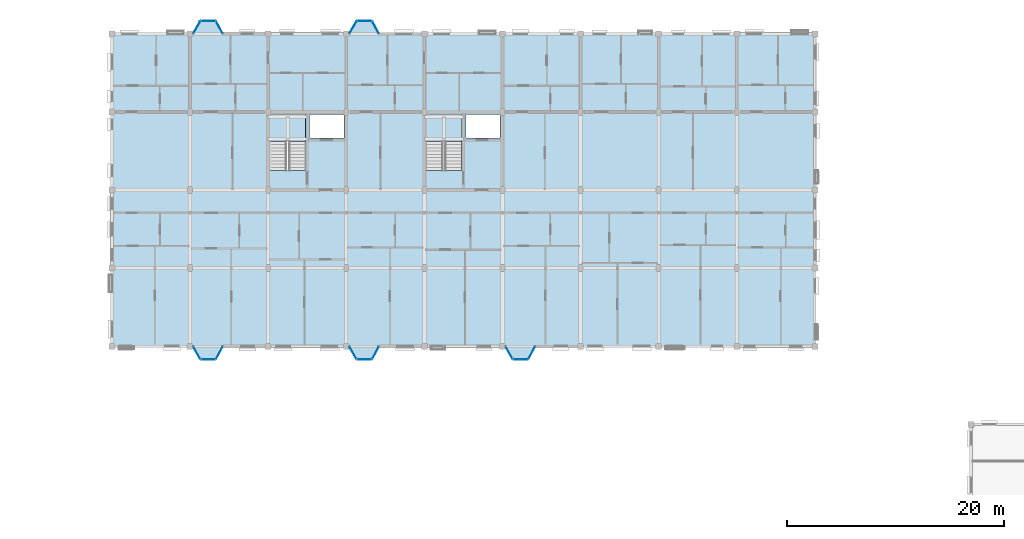
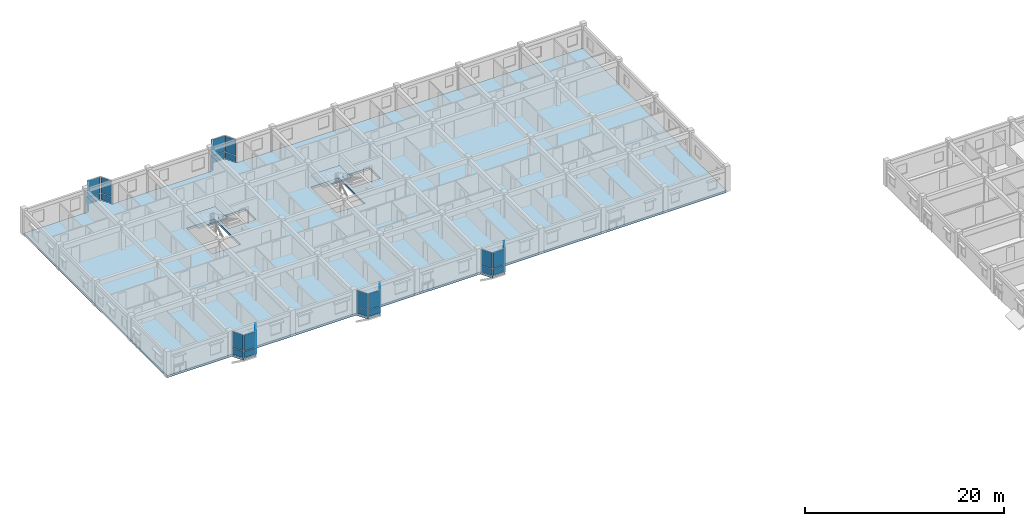
# One storey, part 44 of 75: 30 plates, 3 slabs, 17 elements without a shape of their own.
"""IFC4 building model written with IfcOpenShell, lengths in metres."""

from ifc_helpers import new_model, si_unit, direction, frame, origin, origin_2d, place, context, subcontext, project, spatial, polyline, rectangle, outline, extrude, material, layer, layer_set, type_object, element, aggregate, save


model = new_model("IFC4")

# Units and contexts
model_context = context("Model", 3, precision=1e-05, world=origin(), true_north=direction((0.0, 1.0)))
body_context = subcontext(model_context, "Body", "Model", "MODEL_VIEW")
ifc_project = project(units=[si_unit("LENGTHUNIT", "METRE"), si_unit("AREAUNIT", "SQUARE_METRE"), si_unit("VOLUMEUNIT", "CUBIC_METRE"), si_unit("PLANEANGLEUNIT", "RADIAN"), si_unit("MASSUNIT", "GRAM", prefix="KILO"), si_unit("THERMODYNAMICTEMPERATUREUNIT", "KELVIN"), si_unit("POWERUNIT", "WATT")], contexts=[model_context])

# Site, building, storey
site_placement = place(None, origin())
site = spatial("IfcSite", under=ifc_project, at=site_placement, CompositionType="ELEMENT")
building_placement = place(site_placement, origin())
building = spatial("IfcBuilding", under=site, at=building_placement, Name="Tavuni Mirador Residences", CompositionType="ELEMENT")
storey_placement = place(building_placement, frame((0.0, 0.0, 20.25)))
storey = spatial("IfcBuildingStorey", under=building, at=storey_placement, Name="L06", CompositionType="ELEMENT", Elevation=20.25)

# Curtain wall, plate
ifc_material_1 = material(Name="Anodised aluminium", Category="aluminium")
ifc_layer_1 = layer(ifc_material_1, 0.1650390625, Name="Anodised aluminium", Category="aluminium")
ifc_layer_set_1 = layer_set([ifc_layer_1], Name="Anodised aluminium")
curtain_wall_type_1 = type_object("IfcCurtainWallType", Name="CWT-MIR-A", PredefinedType="NOTDEFINED", material=ifc_layer_set_1)
curtain_wall_1_placement = place(storey_placement, origin())
curtain_wall_1 = element("IfcCurtainWall", 1, at=curtain_wall_1_placement, inside=storey, type_object=curtain_wall_type_1, Name="CW-MIR-C-S1-L06-M1", PredefinedType="NOTDEFINED")
ifc_material_2 = material(Name="Laminated solar-control glass", Category="glass")
ifc_layer_2 = layer(ifc_material_2, 0.02392578125, Name="Laminated solar-control glass", Category="glass")
ifc_layer_set_2 = layer_set([ifc_layer_2], Name="Laminated solar-control glass")
plate_type_1 = type_object("IfcPlateType", Name="CWP-GL24", PredefinedType="CURTAIN_PANEL", material=ifc_layer_set_2)
plate_1_placement = place(storey_placement, frame((18.617431640625, 143.39990234375, 0.8798828125), z_axis=(0.0, 0.0, 1.0), x_axis=(0.495749192217, -0.868465738194, 0.0)))
plate_1 = element("IfcPlate", 2, at=plate_1_placement, type_object=plate_type_1, Name="CW-01 panel 1.2", PredefinedType="CURTAIN_PANEL", context=body_context, shape_type="SweptSolid", body=[
    extrude(rectangle(XDim=1.26171875, YDim=0.02392578125, at=origin_2d()), origin(), (0.0, 0.0, 1.0), 1.945068359375),
])

curtain_wall_2_placement = place(storey_placement, origin())
curtain_wall_2 = element("IfcCurtainWall", 3, at=curtain_wall_2_placement, inside=storey, type_object=curtain_wall_type_1, Name="CW-MIR-C-S2-L06-MF", PredefinedType="NOTDEFINED")
plate_2_placement = place(storey_placement, frame((34.070068359375, 142.800048828125, 0.8798828125), z_axis=(0.0, 0.0, 1.0), x_axis=(1.0, 0.0, 0.0)))
plate_2 = element("IfcPlate", 4, at=plate_2_placement, type_object=plate_type_1, Name="CW-01 panel 1.2", PredefinedType="CURTAIN_PANEL", context=body_context, shape_type="SweptSolid", body=[
    extrude(rectangle(XDim=1.300048828125, YDim=0.02392578125, at=origin_2d()), origin(), (0.0, 0.0, 1.0), 1.945068359375),
])

curtain_wall_3_placement = place(storey_placement, origin())
curtain_wall_3 = element("IfcCurtainWall", 5, at=curtain_wall_3_placement, inside=storey, type_object=curtain_wall_type_1, Name="CW-MIR-C-S3-L06-M2", PredefinedType="NOTDEFINED")
plate_3_placement = place(storey_placement, frame((49.5, 143.39990234375, 0.8798828125), z_axis=(0.0, 0.0, 1.0), x_axis=(0.470588235296, 0.882352941175, 0.0)))
plate_3 = element("IfcPlate", 6, at=plate_3_placement, type_object=plate_type_1, Name="CW-01 panel 1.2", PredefinedType="CURTAIN_PANEL", context=body_context, shape_type="SweptSolid", body=[
    extrude(rectangle(XDim=1.239990234375, YDim=0.02392578125, at=origin_2d()), origin(), (0.0, 0.0, 1.0), 1.945068359375),
])

curtain_wall_4_placement = place(storey_placement, origin())
curtain_wall_4 = element("IfcCurtainWall", 7, at=curtain_wall_4_placement, inside=storey, type_object=curtain_wall_type_1, Name="CW-MIR-C-N1-L06-M1", PredefinedType="NOTDEFINED")
plate_4_placement = place(storey_placement, frame((20.699951171875, 173.39990234375, 0.8798828125), z_axis=(0.0, 0.0, 1.0), x_axis=(-0.470588235296, 0.882352941175, 0.0)))
plate_4 = element("IfcPlate", 8, at=plate_4_placement, type_object=plate_type_1, Name="CW-01 panel 1.2", PredefinedType="CURTAIN_PANEL", context=body_context, shape_type="SweptSolid", body=[
    extrude(rectangle(XDim=1.239990234375, YDim=0.02392578125, at=origin_2d()), origin(), (0.0, 0.0, 1.0), 1.945068359375),
])

ifc_layer_3 = layer(ifc_material_1, 0.14990234375, Name="Anodised aluminium", Category="aluminium")
ifc_layer_set_3 = layer_set([ifc_layer_3], Name="Anodised aluminium")
curtain_wall_type_2 = type_object("IfcCurtainWallType", Name="CWT-MIR-B", PredefinedType="NOTDEFINED", material=ifc_layer_set_3)
curtain_wall_5_placement = place(storey_placement, origin())
curtain_wall_5 = element("IfcCurtainWall", 9, at=curtain_wall_5_placement, inside=storey, type_object=curtain_wall_type_2, Name="CW-MIR-C-S1-L06-MF", PredefinedType="NOTDEFINED")
ifc_layer_4 = layer(ifc_material_2, 0.028076171875, Name="Laminated solar-control glass", Category="glass")
ifc_layer_set_4 = layer_set([ifc_layer_4], Name="Laminated solar-control glass")
plate_type_2 = type_object("IfcPlateType", Name="CWP-GL28", PredefinedType="CURTAIN_PANEL", material=ifc_layer_set_4)
plate_5_placement = place(storey_placement, frame((19.669921875, 142.800048828125, 0.882568359375), z_axis=(0.0, 0.0, 1.0), x_axis=(1.0, 0.0, 0.0)))
plate_5 = element("IfcPlate", 10, at=plate_5_placement, type_object=plate_type_2, Name="CW-02 panel 1.2", PredefinedType="CURTAIN_PANEL", context=body_context, shape_type="SweptSolid", body=[
    extrude(rectangle(XDim=1.2900390625, YDim=0.028076171875, at=origin_2d()), origin(), (0.0, 0.0, 1.0), 1.9375),
])

curtain_wall_6_placement = place(storey_placement, origin())
curtain_wall_6 = element("IfcCurtainWall", 11, at=curtain_wall_6_placement, inside=storey, type_object=curtain_wall_type_2, Name="CW-MIR-C-S2-L06-M2", PredefinedType="NOTDEFINED")
plate_6_placement = place(storey_placement, frame((35.10009765625, 143.39990234375, 0.882568359375), z_axis=(0.0, 0.0, 1.0), x_axis=(0.470588235296, 0.882352941175, 0.0)))
plate_6 = element("IfcPlate", 12, at=plate_6_placement, type_object=plate_type_2, Name="CW-02 panel 1.2", PredefinedType="CURTAIN_PANEL", context=body_context, shape_type="SweptSolid", body=[
    extrude(rectangle(XDim=1.22998046875, YDim=0.028076171875, at=origin_2d()), origin(), (0.0, 0.0, 1.0), 1.9375),
])

curtain_wall_7_placement = place(storey_placement, origin())
curtain_wall_7 = element("IfcCurtainWall", 13, at=curtain_wall_7_placement, inside=storey, type_object=curtain_wall_type_2, Name="CW-MIR-C-N2-L06-M1", PredefinedType="NOTDEFINED")
plate_7_placement = place(storey_placement, frame((35.10009765625, 173.39990234375, 0.882568359375), z_axis=(0.0, 0.0, 1.0), x_axis=(-0.470588235296, 0.882352941175, 0.0)))
plate_7 = element("IfcPlate", 14, at=plate_7_placement, type_object=plate_type_2, Name="CW-02 panel 1.2", PredefinedType="CURTAIN_PANEL", context=body_context, shape_type="SweptSolid", body=[
    extrude(rectangle(XDim=1.22998046875, YDim=0.028076171875, at=origin_2d()), origin(), (0.0, 0.0, 1.0), 1.9375),
])

curtain_wall_8_placement = place(storey_placement, origin())
curtain_wall_8 = element("IfcCurtainWall", 15, at=curtain_wall_8_placement, inside=storey, type_object=curtain_wall_type_2, Name="CW-MIR-C-N1-L06-MF", PredefinedType="NOTDEFINED")
plate_8_placement = place(storey_placement, frame((19.669921875, 174.0, 0.882568359375), z_axis=(0.0, 0.0, 1.0), x_axis=(-1.0, 0.0, 0.0)))
plate_8 = element("IfcPlate", 16, at=plate_8_placement, type_object=plate_type_2, Name="CW-02 panel 1.2", PredefinedType="CURTAIN_PANEL", context=body_context, shape_type="SweptSolid", body=[
    extrude(rectangle(XDim=1.2900390625, YDim=0.028076171875, at=origin_2d()), origin(), (0.0, 0.0, 1.0), 1.9375),
])

ifc_layer_5 = layer(ifc_material_1, 0.175048828125, Name="Anodised aluminium", Category="aluminium")
ifc_layer_set_5 = layer_set([ifc_layer_5], Name="Anodised aluminium")
curtain_wall_type_3 = type_object("IfcCurtainWallType", Name="CWT-MIR-C", PredefinedType="NOTDEFINED", material=ifc_layer_set_5)
curtain_wall_9_placement = place(storey_placement, origin())
curtain_wall_9 = element("IfcCurtainWall", 17, at=curtain_wall_9_placement, inside=storey, type_object=curtain_wall_type_3, Name="CW-MIR-C-S1-L06-M2", PredefinedType="NOTDEFINED")
ifc_layer_6 = layer(ifc_material_2, 0.031982421875, Name="Laminated solar-control glass", Category="glass")
ifc_layer_set_6 = layer_set([ifc_layer_6], Name="Laminated solar-control glass")
plate_type_3 = type_object("IfcPlateType", Name="CWP-GL32", PredefinedType="CURTAIN_PANEL", material=ifc_layer_set_6)
plate_9_placement = place(storey_placement, frame((20.699951171875, 143.39990234375, 0.8798828125), z_axis=(0.0, 0.0, 1.0), x_axis=(0.470588235296, 0.882352941175, 0.0)))
plate_9 = element("IfcPlate", 18, at=plate_9_placement, type_object=plate_type_3, Name="CW-03 panel 1.2", PredefinedType="CURTAIN_PANEL", context=body_context, shape_type="SweptSolid", body=[
    extrude(rectangle(XDim=1.239990234375, YDim=0.031982421875, at=origin_2d()), origin(), (0.0, 0.0, 1.0), 1.945068359375),
])

curtain_wall_10_placement = place(storey_placement, origin())
curtain_wall_10 = element("IfcCurtainWall", 19, at=curtain_wall_10_placement, inside=storey, type_object=curtain_wall_type_3, Name="CW-MIR-C-S3-L06-M1", PredefinedType="NOTDEFINED")
plate_10_placement = place(storey_placement, frame((47.41748046875, 143.39990234375, 0.8798828125), z_axis=(0.0, 0.0, 1.0), x_axis=(0.495749192217, -0.868465738194, 0.0)))
plate_10 = element("IfcPlate", 20, at=plate_10_placement, type_object=plate_type_3, Name="CW-03 panel 1.2", PredefinedType="CURTAIN_PANEL", context=body_context, shape_type="SweptSolid", body=[
    extrude(rectangle(XDim=1.26171875, YDim=0.031982421875, at=origin_2d()), origin(), (0.0, 0.0, 1.0), 1.945068359375),
])

curtain_wall_11_placement = place(storey_placement, origin())
curtain_wall_11 = element("IfcCurtainWall", 21, at=curtain_wall_11_placement, inside=storey, type_object=curtain_wall_type_3, Name="CW-MIR-C-N2-L06-MF", PredefinedType="NOTDEFINED")
plate_11_placement = place(storey_placement, frame((34.070068359375, 174.0, 0.8798828125), z_axis=(0.0, 0.0, 1.0), x_axis=(-1.0, 0.0, 0.0)))
plate_11 = element("IfcPlate", 22, at=plate_11_placement, type_object=plate_type_3, Name="CW-03 panel 1.2", PredefinedType="CURTAIN_PANEL", context=body_context, shape_type="SweptSolid", body=[
    extrude(rectangle(XDim=1.300048828125, YDim=0.031982421875, at=origin_2d()), origin(), (0.0, 0.0, 1.0), 1.945068359375),
])

curtain_wall_12_placement = place(storey_placement, origin())
curtain_wall_12 = element("IfcCurtainWall", 23, at=curtain_wall_12_placement, inside=storey, type_object=curtain_wall_type_3, Name="CW-MIR-C-N1-L06-M2", PredefinedType="NOTDEFINED")
plate_12_placement = place(storey_placement, frame((18.617431640625, 173.39990234375, 0.8798828125), z_axis=(0.0, 0.0, 1.0), x_axis=(-0.495749192217, -0.868465738194, 0.0)))
plate_12 = element("IfcPlate", 24, at=plate_12_placement, type_object=plate_type_3, Name="CW-03 panel 1.2", PredefinedType="CURTAIN_PANEL", context=body_context, shape_type="SweptSolid", body=[
    extrude(rectangle(XDim=1.26171875, YDim=0.031982421875, at=origin_2d()), origin(), (0.0, 0.0, 1.0), 1.945068359375),
])

ifc_layer_7 = layer(ifc_material_1, 0.159912109375, Name="Anodised aluminium", Category="aluminium")
ifc_layer_set_7 = layer_set([ifc_layer_7], Name="Anodised aluminium")
curtain_wall_type_4 = type_object("IfcCurtainWallType", Name="CWT-MIR-D", PredefinedType="NOTDEFINED", material=ifc_layer_set_7)
curtain_wall_13_placement = place(storey_placement, origin())
curtain_wall_13 = element("IfcCurtainWall", 25, at=curtain_wall_13_placement, inside=storey, type_object=curtain_wall_type_4, Name="CW-MIR-C-S2-L06-M1", PredefinedType="NOTDEFINED")
ifc_layer_8 = layer(ifc_material_2, 0.035888671875, Name="Laminated solar-control glass", Category="glass")
ifc_layer_set_8 = layer_set([ifc_layer_8], Name="Laminated solar-control glass")
plate_type_4 = type_object("IfcPlateType", Name="CWP-GL36", PredefinedType="CURTAIN_PANEL", material=ifc_layer_set_8)
plate_13_placement = place(storey_placement, frame((33.017578125, 143.39990234375, 0.882568359375), z_axis=(0.0, 0.0, 1.0), x_axis=(0.495749192217, -0.868465738194, 0.0)))
plate_13 = element("IfcPlate", 26, at=plate_13_placement, type_object=plate_type_4, Name="CW-04 panel 1.2", PredefinedType="CURTAIN_PANEL", context=body_context, shape_type="SweptSolid", body=[
    extrude(rectangle(XDim=1.251708984375, YDim=0.035888671875, at=origin_2d()), origin(), (0.0, 0.0, 1.0), 1.9375),
])

curtain_wall_14_placement = place(storey_placement, origin())
curtain_wall_14 = element("IfcCurtainWall", 27, at=curtain_wall_14_placement, inside=storey, type_object=curtain_wall_type_4, Name="CW-MIR-C-S3-L06-MF", PredefinedType="NOTDEFINED")
plate_14_placement = place(storey_placement, frame((48.469970703125, 142.800048828125, 0.882568359375), z_axis=(0.0, 0.0, 1.0), x_axis=(1.0, 0.0, 0.0)))
plate_14 = element("IfcPlate", 28, at=plate_14_placement, type_object=plate_type_4, Name="CW-04 panel 1.2", PredefinedType="CURTAIN_PANEL", context=body_context, shape_type="SweptSolid", body=[
    extrude(rectangle(XDim=1.2900390625, YDim=0.035888671875, at=origin_2d()), origin(), (0.0, 0.0, 1.0), 1.9375),
])

curtain_wall_15_placement = place(storey_placement, origin())
curtain_wall_15 = element("IfcCurtainWall", 29, at=curtain_wall_15_placement, inside=storey, type_object=curtain_wall_type_4, Name="CW-MIR-C-N2-L06-M2", PredefinedType="NOTDEFINED")
plate_15_placement = place(storey_placement, frame((33.017578125, 173.39990234375, 0.882568359375), z_axis=(0.0, 0.0, 1.0), x_axis=(-0.495749192217, -0.868465738194, 0.0)))
plate_15 = element("IfcPlate", 30, at=plate_15_placement, type_object=plate_type_4, Name="CW-04 panel 1.2", PredefinedType="CURTAIN_PANEL", context=body_context, shape_type="SweptSolid", body=[
    extrude(rectangle(XDim=1.251708984375, YDim=0.035888671875, at=origin_2d()), origin(), (0.0, 0.0, 1.0), 1.9375),
])

# Plate
ifc_material_3 = material(Name="Ceramic trencadis mosaic panel", Category="masonry")
ifc_layer_9 = layer(ifc_material_3, 0.0419921875, Name="Ceramic trencadis mosaic panel", Category="masonry")
ifc_layer_set_9 = layer_set([ifc_layer_9], Name="Ceramic trencadis mosaic panel")
plate_type_5 = type_object("IfcPlateType", Name="CWP-SP42", PredefinedType="CURTAIN_PANEL", material=ifc_layer_set_9)
plate_16_placement = place(storey_placement, frame((18.617431640625, 143.39990234375, 0.06005859375), z_axis=(0.0, 0.0, 1.0), x_axis=(0.495749192217, -0.868465738194, 0.0)))
plate_16 = element("IfcPlate", 31, at=plate_16_placement, type_object=plate_type_5, Name="CW-01 panel 1.1", PredefinedType="CURTAIN_PANEL", context=body_context, shape_type="SweptSolid", body=[
    extrude(rectangle(XDim=1.26171875, YDim=0.0419921875, at=origin_2d()), origin(), (0.0, 0.0, 1.0), 0.760009765625),
])

aggregate(curtain_wall_1, [plate_16, plate_1])

plate_17_placement = place(storey_placement, frame((20.699951171875, 143.39990234375, 0.06005859375), z_axis=(0.0, 0.0, 1.0), x_axis=(0.470588235296, 0.882352941175, 0.0)))
plate_17 = element("IfcPlate", 32, at=plate_17_placement, type_object=plate_type_5, Name="CW-03 panel 1.1", PredefinedType="CURTAIN_PANEL", context=body_context, shape_type="SweptSolid", body=[
    extrude(rectangle(XDim=1.239990234375, YDim=0.0419921875, at=origin_2d()), origin(), (0.0, 0.0, 1.0), 0.760009765625),
])

aggregate(curtain_wall_9, [plate_17, plate_9])

plate_18_placement = place(storey_placement, frame((34.070068359375, 142.800048828125, 0.06005859375), z_axis=(0.0, 0.0, 1.0), x_axis=(1.0, 0.0, 0.0)))
plate_18 = element("IfcPlate", 33, at=plate_18_placement, type_object=plate_type_5, Name="CW-01 panel 1.1", PredefinedType="CURTAIN_PANEL", context=body_context, shape_type="SweptSolid", body=[
    extrude(rectangle(XDim=1.300048828125, YDim=0.0419921875, at=origin_2d()), origin(), (0.0, 0.0, 1.0), 0.760009765625),
])

aggregate(curtain_wall_2, [plate_18, plate_2])

plate_19_placement = place(storey_placement, frame((47.41748046875, 143.39990234375, 0.06005859375), z_axis=(0.0, 0.0, 1.0), x_axis=(0.495749192217, -0.868465738194, 0.0)))
plate_19 = element("IfcPlate", 34, at=plate_19_placement, type_object=plate_type_5, Name="CW-03 panel 1.1", PredefinedType="CURTAIN_PANEL", context=body_context, shape_type="SweptSolid", body=[
    extrude(rectangle(XDim=1.26171875, YDim=0.0419921875, at=origin_2d()), origin(), (0.0, 0.0, 1.0), 0.760009765625),
])

aggregate(curtain_wall_10, [plate_19, plate_10])

plate_20_placement = place(storey_placement, frame((49.5, 143.39990234375, 0.06005859375), z_axis=(0.0, 0.0, 1.0), x_axis=(0.470588235296, 0.882352941175, 0.0)))
plate_20 = element("IfcPlate", 35, at=plate_20_placement, type_object=plate_type_5, Name="CW-01 panel 1.1", PredefinedType="CURTAIN_PANEL", context=body_context, shape_type="SweptSolid", body=[
    extrude(rectangle(XDim=1.239990234375, YDim=0.0419921875, at=origin_2d()), origin(), (0.0, 0.0, 1.0), 0.760009765625),
])

aggregate(curtain_wall_3, [plate_20, plate_3])

plate_21_placement = place(storey_placement, frame((34.070068359375, 174.0, 0.06005859375), z_axis=(0.0, 0.0, 1.0), x_axis=(-1.0, 0.0, 0.0)))
plate_21 = element("IfcPlate", 36, at=plate_21_placement, type_object=plate_type_5, Name="CW-03 panel 1.1", PredefinedType="CURTAIN_PANEL", context=body_context, shape_type="SweptSolid", body=[
    extrude(rectangle(XDim=1.300048828125, YDim=0.0419921875, at=origin_2d()), origin(), (0.0, 0.0, 1.0), 0.760009765625),
])

aggregate(curtain_wall_11, [plate_21, plate_11])

plate_22_placement = place(storey_placement, frame((20.699951171875, 173.39990234375, 0.06005859375), z_axis=(0.0, 0.0, 1.0), x_axis=(-0.470588235296, 0.882352941175, 0.0)))
plate_22 = element("IfcPlate", 37, at=plate_22_placement, type_object=plate_type_5, Name="CW-01 panel 1.1", PredefinedType="CURTAIN_PANEL", context=body_context, shape_type="SweptSolid", body=[
    extrude(rectangle(XDim=1.239990234375, YDim=0.0419921875, at=origin_2d()), origin(), (0.0, 0.0, 1.0), 0.760009765625),
])

aggregate(curtain_wall_4, [plate_22, plate_4])

plate_23_placement = place(storey_placement, frame((18.617431640625, 173.39990234375, 0.06005859375), z_axis=(0.0, 0.0, 1.0), x_axis=(-0.495749192217, -0.868465738194, 0.0)))
plate_23 = element("IfcPlate", 38, at=plate_23_placement, type_object=plate_type_5, Name="CW-03 panel 1.1", PredefinedType="CURTAIN_PANEL", context=body_context, shape_type="SweptSolid", body=[
    extrude(rectangle(XDim=1.26171875, YDim=0.0419921875, at=origin_2d()), origin(), (0.0, 0.0, 1.0), 0.760009765625),
])

aggregate(curtain_wall_12, [plate_23, plate_12])

ifc_layer_10 = layer(ifc_material_3, 0.048095703125, Name="Ceramic trencadis mosaic panel", Category="masonry")
ifc_layer_set_10 = layer_set([ifc_layer_10], Name="Ceramic trencadis mosaic panel")
plate_type_6 = type_object("IfcPlateType", Name="CWP-SP48", PredefinedType="CURTAIN_PANEL", material=ifc_layer_set_10)
plate_24_placement = place(storey_placement, frame((19.669921875, 142.800048828125, 0.06494140625), z_axis=(0.0, 0.0, 1.0), x_axis=(1.0, 0.0, 0.0)))
plate_24 = element("IfcPlate", 39, at=plate_24_placement, type_object=plate_type_6, Name="CW-02 panel 1.1", PredefinedType="CURTAIN_PANEL", context=body_context, shape_type="SweptSolid", body=[
    extrude(rectangle(XDim=1.2900390625, YDim=0.048095703125, at=origin_2d()), origin(), (0.0, 0.0, 1.0), 0.75244140625),
])

aggregate(curtain_wall_5, [plate_24, plate_5])

plate_25_placement = place(storey_placement, frame((33.017578125, 143.39990234375, 0.06494140625), z_axis=(0.0, 0.0, 1.0), x_axis=(0.495749192217, -0.868465738194, 0.0)))
plate_25 = element("IfcPlate", 40, at=plate_25_placement, type_object=plate_type_6, Name="CW-04 panel 1.1", PredefinedType="CURTAIN_PANEL", context=body_context, shape_type="SweptSolid", body=[
    extrude(rectangle(XDim=1.251708984375, YDim=0.048095703125, at=origin_2d()), origin(), (0.0, 0.0, 1.0), 0.75244140625),
])

aggregate(curtain_wall_13, [plate_25, plate_13])

plate_26_placement = place(storey_placement, frame((35.10009765625, 143.39990234375, 0.06494140625), z_axis=(0.0, 0.0, 1.0), x_axis=(0.470588235296, 0.882352941175, 0.0)))
plate_26 = element("IfcPlate", 41, at=plate_26_placement, type_object=plate_type_6, Name="CW-02 panel 1.1", PredefinedType="CURTAIN_PANEL", context=body_context, shape_type="SweptSolid", body=[
    extrude(rectangle(XDim=1.22998046875, YDim=0.048095703125, at=origin_2d()), origin(), (0.0, 0.0, 1.0), 0.75244140625),
])

aggregate(curtain_wall_6, [plate_26, plate_6])

plate_27_placement = place(storey_placement, frame((48.469970703125, 142.800048828125, 0.06494140625), z_axis=(0.0, 0.0, 1.0), x_axis=(1.0, 0.0, 0.0)))
plate_27 = element("IfcPlate", 42, at=plate_27_placement, type_object=plate_type_6, Name="CW-04 panel 1.1", PredefinedType="CURTAIN_PANEL", context=body_context, shape_type="SweptSolid", body=[
    extrude(rectangle(XDim=1.2900390625, YDim=0.048095703125, at=origin_2d()), origin(), (0.0, 0.0, 1.0), 0.75244140625),
])

aggregate(curtain_wall_14, [plate_27, plate_14])

plate_28_placement = place(storey_placement, frame((35.10009765625, 173.39990234375, 0.06494140625), z_axis=(0.0, 0.0, 1.0), x_axis=(-0.470588235296, 0.882352941175, 0.0)))
plate_28 = element("IfcPlate", 43, at=plate_28_placement, type_object=plate_type_6, Name="CW-02 panel 1.1", PredefinedType="CURTAIN_PANEL", context=body_context, shape_type="SweptSolid", body=[
    extrude(rectangle(XDim=1.22998046875, YDim=0.048095703125, at=origin_2d()), origin(), (0.0, 0.0, 1.0), 0.75244140625),
])

aggregate(curtain_wall_7, [plate_28, plate_7])

plate_29_placement = place(storey_placement, frame((33.017578125, 173.39990234375, 0.06494140625), z_axis=(0.0, 0.0, 1.0), x_axis=(-0.495749192217, -0.868465738194, 0.0)))
plate_29 = element("IfcPlate", 44, at=plate_29_placement, type_object=plate_type_6, Name="CW-04 panel 1.1", PredefinedType="CURTAIN_PANEL", context=body_context, shape_type="SweptSolid", body=[
    extrude(rectangle(XDim=1.251708984375, YDim=0.048095703125, at=origin_2d()), origin(), (0.0, 0.0, 1.0), 0.75244140625),
])

aggregate(curtain_wall_15, [plate_29, plate_15])

plate_30_placement = place(storey_placement, frame((19.669921875, 174.0, 0.06494140625), z_axis=(0.0, 0.0, 1.0), x_axis=(-1.0, 0.0, 0.0)))
plate_30 = element("IfcPlate", 45, at=plate_30_placement, type_object=plate_type_6, Name="CW-02 panel 1.1", PredefinedType="CURTAIN_PANEL", context=body_context, shape_type="SweptSolid", body=[
    extrude(rectangle(XDim=1.2900390625, YDim=0.048095703125, at=origin_2d()), origin(), (0.0, 0.0, 1.0), 0.75244140625),
])

aggregate(curtain_wall_8, [plate_30, plate_8])

# Slab
ifc_material_4 = material(Name="Prestressed concrete C45/55", Category="concrete")
ifc_layer_11 = layer(ifc_material_4, 0.264892578125, Name="Prestressed concrete C45/55", Category="concrete")
ifc_layer_set_11 = layer_set([ifc_layer_11], Name="Prestressed concrete C45/55")
slab_type_1 = type_object("IfcSlabType", Name="SLT-FLR265", PredefinedType="FLOOR", material=ifc_layer_set_11)
slab_1_placement = place(storey_placement, frame((0.0, 0.0, -0.264892578125)))
element("IfcSlab", 46, at=slab_1_placement, inside=storey, type_object=slab_type_1, Name="SLB-BLK-C-L06", PredefinedType="FLOOR", context=body_context, shape_type="SweptSolid", body=[
    extrude(outline(polyline([(10.800048828125, 144.0), (18.27490234375, 144.0), (18.9599609375, 142.800048828125), (20.3798828125, 142.800048828125), (21.02001953125, 144.0), (32.675048828125, 144.0), (33.360107421875, 142.800048828125), (34.780029296875, 142.800048828125), (35.419921875, 144.0), (47.074951171875, 144.0), (47.760009765625, 142.800048828125), (49.179931640625, 142.800048828125), (49.820068359375, 144.0), (75.60009765625, 144.0), (75.60009765625, 172.800048828125), (35.419921875, 172.800048828125), (34.780029296875, 174.0), (33.360107421875, 174.0), (32.675048828125, 172.800048828125), (21.02001953125, 172.800048828125), (20.3798828125, 174.0), (18.9599609375, 174.0), (18.27490234375, 172.800048828125), (10.800048828125, 172.800048828125), (10.800048828125, 144.0)]), holes=[polyline([(25.360107421875, 160.2080078125), (28.639892578125, 160.2080078125), (28.639892578125, 165.360107421875), (25.360107421875, 165.360107421875), (25.360107421875, 160.2080078125)]), polyline([(29.02001953125, 163.219970703125), (32.179931640625, 163.219970703125), (32.179931640625, 165.3798828125), (29.02001953125, 165.3798828125), (29.02001953125, 163.219970703125)]), polyline([(39.760009765625, 160.2080078125), (43.0400390625, 160.2080078125), (43.0400390625, 165.360107421875), (39.760009765625, 165.360107421875), (39.760009765625, 160.2080078125)]), polyline([(43.419921875, 163.219970703125), (46.580078125, 163.219970703125), (46.580078125, 165.3798828125), (43.419921875, 165.3798828125), (43.419921875, 163.219970703125)])]), origin(), (0.0, 0.0, 1.0), 0.264892578125),
])

# Stair, slab
ifc_material_5 = material(Name="Precast concrete C40/50", Category="concrete")
stair_type = type_object("IfcStairType", Name="STT-TYP", PredefinedType="HALF_TURN_STAIR", material=ifc_material_5)
stair_1_placement = place(storey_placement, origin())
stair_1 = element("IfcStair", 47, at=stair_1_placement, inside=storey, type_object=stair_type, Name="Protected exit stair ST5 (L06)", PredefinedType="HALF_TURN_STAIR")
ifc_layer_12 = layer(ifc_material_5, 0.179931640625, Name="Precast concrete C40/50", Category="concrete")
ifc_layer_set_12 = layer_set([ifc_layer_12], Name="Precast concrete C40/50")
slab_type_2 = type_object("IfcSlabType", Name="SLT-LND180", PredefinedType="LANDING", material=ifc_layer_set_12)
slab_2_placement = place(storey_placement, frame((0.0, 0.0, 1.39501953125)))
slab_2 = element("IfcSlab", 48, at=slab_2_placement, type_object=slab_type_2, Name="ST5 landing 1", PredefinedType="LANDING", context=body_context, shape_type="SweptSolid", body=[
    extrude(outline(polyline([(25.340087890625, 162.89208984375), (28.659912109375, 162.89208984375), (28.659912109375, 165.300048828125), (25.340087890625, 165.300048828125), (25.340087890625, 162.89208984375)])), origin(), (0.0, 0.0, 1.0), 0.179931640625),
])
aggregate(stair_1, [slab_2])

stair_2_placement = place(storey_placement, origin())
stair_2 = element("IfcStair", 49, at=stair_2_placement, inside=storey, type_object=stair_type, Name="Protected exit stair ST6 (L06)", PredefinedType="HALF_TURN_STAIR")
slab_3_placement = place(storey_placement, frame((0.0, 0.0, 1.39501953125)))
slab_3 = element("IfcSlab", 50, at=slab_3_placement, type_object=slab_type_2, Name="ST6 landing 1", PredefinedType="LANDING", context=body_context, shape_type="SweptSolid", body=[
    extrude(outline(polyline([(39.739990234375, 162.89208984375), (43.06005859375, 162.89208984375), (43.06005859375, 165.300048828125), (39.739990234375, 165.300048828125), (39.739990234375, 162.89208984375)])), origin(), (0.0, 0.0, 1.0), 0.179931640625),
])
aggregate(stair_2, [slab_3])

save(model, "model.ifc")
